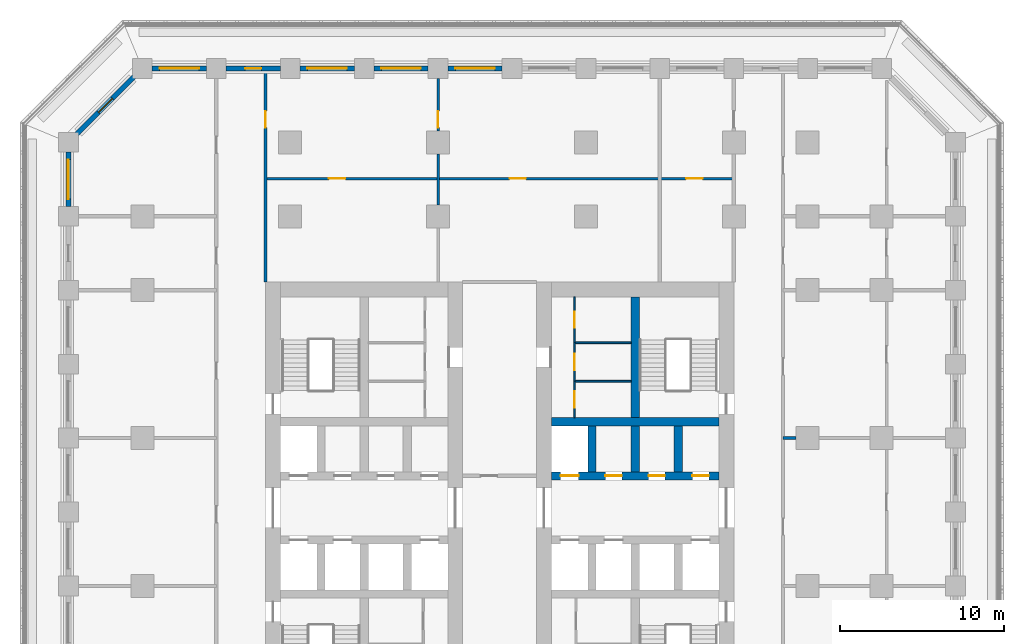
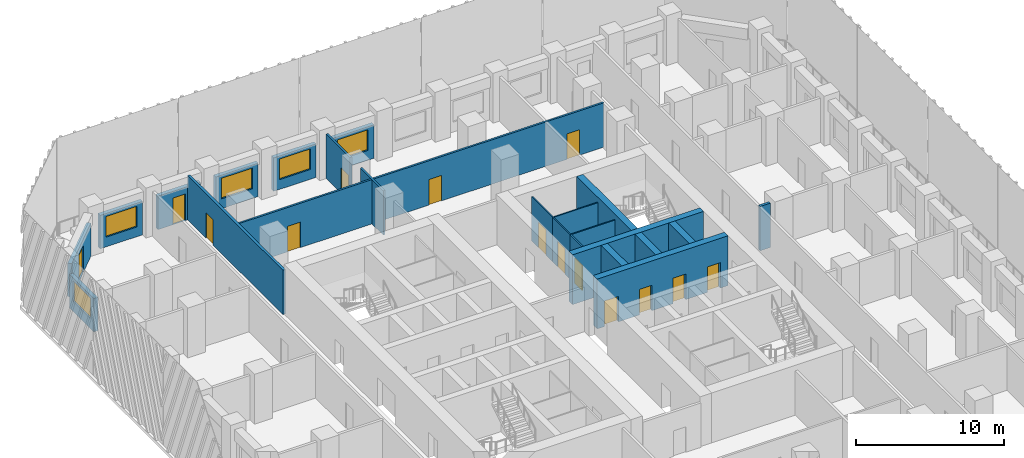
# One storey, part 7 of 19: 23 walls, 14 doors, 5 windows, 19 openings.
"""IFC4 building model written with IfcOpenShell, lengths in metres."""

import ifcopenshell
import ifcopenshell.guid

model = None  # the IFC model being written
_history = None  # IfcOwnerHistory: only IFC2X3 demands one
_inside = {}  # id of a spatial element -> (the spatial element, [elements in it])
_under = {}  # id of a project, library or spatial element -> (it, [spatial elements below it])
_declared = {}  # id of a project -> (the project, [libraries it declares])
_typed = {}  # id of a type object -> (the type object, [elements of that type])
_made_of = {}  # id of a material, layer set ... -> (it, [elements and type objects made of it])


def new_model(schema):
    """Start an empty IFC model of exactly this schema.

    Asked for "IFC4X3", IfcOpenShell would pick the latest addendum, in which some entities
    have other attributes; the version numbers below select the first issue.
    IFC2X3 requires an IfcOwnerHistory on every rooted entity: one is made here for all.
    """
    global model, _history
    if schema == "IFC4X3":
        model = ifcopenshell.file(schema_version=(4, 3, 0, 0))
    else:
        model = ifcopenshell.file(schema=schema)
    _inside.clear()
    _under.clear()
    _declared.clear()
    _typed.clear()
    _made_of.clear()
    _history = None
    if model.schema == "IFC2X3":
        org = make("IfcOrganization", Name="unknown")
        user = make(
            "IfcPersonAndOrganization",
            ThePerson=make("IfcPerson", FamilyName="unknown"),
            TheOrganization=org,
        )
        app = make(
            "IfcApplication",
            ApplicationDeveloper=org,
            Version="unknown",
            ApplicationFullName="unknown",
            ApplicationIdentifier="unknown",
        )
        _history = make(
            "IfcOwnerHistory",
            OwningUser=user,
            OwningApplication=app,
            ChangeAction="ADDED",
            CreationDate=0,
        )
    return model


def make(cls, **values):
    """One entity of the class cls with the attributes given. An attribute that is None is left unset."""
    return model.create_entity(
        cls, **{name: value for name, value in values.items() if value is not None}
    )


def rooted(cls, **values):
    """An entity with a GlobalId (a new one), such as an element, a storey or a relation."""
    return make(cls, GlobalId=ifcopenshell.guid.new(), OwnerHistory=_history, **values)


def si_unit(unit_type, name, prefix=None):
    """IfcSIUnit, for example si_unit("LENGTHUNIT", "METRE", prefix="MILLI")."""
    return make("IfcSIUnit", UnitType=unit_type, Prefix=prefix, Name=name)


def assignment(units):
    """IfcUnitAssignment: the units of a project."""
    return None if units is None else make("IfcUnitAssignment", Units=units)


def point(xyz):
    """IfcCartesianPoint."""
    return None if xyz is None else make("IfcCartesianPoint", Coordinates=xyz)


def direction(xyz):
    """IfcDirection."""
    return None if xyz is None else make("IfcDirection", DirectionRatios=xyz)


def frame(location, z_axis=None, x_axis=None):
    """IfcAxis2Placement3D, a coordinate frame: its origin and axes. An axis left out is left unset."""
    return make(
        "IfcAxis2Placement3D",
        Location=point(location),
        Axis=direction(z_axis),
        RefDirection=direction(x_axis),
    )


def frame_2d(location, x_axis=None):
    """IfcAxis2Placement2D, a coordinate frame in the plane: its origin and x axis."""
    return make(
        "IfcAxis2Placement2D", Location=point(location), RefDirection=direction(x_axis)
    )


def origin():
    """The frame at (0, 0, 0) with its axes left unset."""
    return frame((0.0, 0.0, 0.0))


def place(relative_to, where):
    """IfcLocalPlacement: puts the frame where relative to a parent placement (None: the world)."""
    return make(
        "IfcLocalPlacement", PlacementRelTo=relative_to, RelativePlacement=where
    )


def context(
    kind, dimensions, precision=None, world=None, true_north=None, identifier=None
):
    """IfcGeometricRepresentationContext, for example the 3D "Model" context."""
    return make(
        "IfcGeometricRepresentationContext",
        ContextIdentifier=identifier,
        ContextType=kind,
        CoordinateSpaceDimension=dimensions,
        Precision=precision,
        WorldCoordinateSystem=world,
        TrueNorth=true_north,
    )


def subcontext(parent, identifier, kind, view, scale=None):
    """IfcGeometricRepresentationSubContext, for example "Body" below "Model"."""
    return make(
        "IfcGeometricRepresentationSubContext",
        ContextIdentifier=identifier,
        ContextType=kind,
        ParentContext=parent,
        TargetScale=scale,
        TargetView=view,
    )


def project(units=None, contexts=None):
    """IfcProject with its units and contexts."""
    return rooted(
        "IfcProject",
        Name="project",
        RepresentationContexts=contexts,
        UnitsInContext=assignment(units),
    )


def spatial(cls, under=None, at=None, **own):
    """A site, building, storey or space (cls), placed at a placement, below another one or the project."""
    s = rooted(cls, ObjectPlacement=at, **own)
    if under is not None:
        _under.setdefault(under.id(), (under, []))[1].append(s)
    return s


def profile(cls, at=None, kind="AREA", **sizes):
    """A parametric profile (cls). Its sizes go by their IFC names, for example OverallWidth=200.0."""
    return make(cls, ProfileType=kind, Position=at, **sizes)


def rectangle(**sizes):
    """IfcRectangleProfileDef."""
    return profile("IfcRectangleProfileDef", **sizes)


def extrude(swept, where, along, depth):
    """IfcExtrudedAreaSolid: the profile swept, set in the frame where, extruded along a direction by depth."""
    return make(
        "IfcExtrudedAreaSolid",
        SweptArea=swept,
        Position=where,
        ExtrudedDirection=direction(along),
        Depth=depth,
    )


def shape(context_of_items, identifier, shape_type, items):
    """IfcShapeRepresentation: the items that make up one representation, for example the "Body"."""
    return make(
        "IfcShapeRepresentation",
        ContextOfItems=context_of_items,
        RepresentationIdentifier=identifier,
        RepresentationType=shape_type,
        Items=items,
    )


def material(Name=None, Category=None):
    """IfcMaterial."""
    return make("IfcMaterial", Name=Name, Category=Category)


def layer(
    of_material, thickness, ventilated=None, Name=None, Category=None, Priority=None
):
    """IfcMaterialLayer: one layer of a wall or slab, of a material (None: an air gap)."""
    return make(
        "IfcMaterialLayer",
        Material=of_material,
        LayerThickness=thickness,
        IsVentilated=ventilated,
        Name=Name,
        Category=Category,
        Priority=Priority,
    )


def layer_set(layers, Name=None):
    """IfcMaterialLayerSet."""
    return make("IfcMaterialLayerSet", MaterialLayers=layers, LayerSetName=Name)


def made_of(thing, what):
    """Note that an element or type object is made of a material, layer set ...; save() writes the relation."""
    if what is not None:
        _made_of.setdefault(what.id(), (what, []))[1].append(thing)
    return thing


def type_object(cls, material=None, **own):
    """A type object (cls), such as IfcWallType, which elements share."""
    return made_of(rooted(cls, **own), material)


def element(
    cls,
    number,
    at=None,
    inside=None,
    cuts=None,
    type_object=None,
    material=None,
    context=None,
    identifier="Body",
    shape_type=None,
    held_by="IfcProductDefinitionShape",
    body=None,
    shapes=None,
    **own,
):
    """One element of the class cls, such as IfcWall. Its Tag is "e" and its number.

    at: its placement. inside: the storey or other place that contains it. cuts: it is an
    opening in that element (IfcRelVoidsElement). A single representation is given by context,
    identifier, shape_type and body (its items); several are given by shapes. held_by: the class
    of the entity that holds the representations. save() writes the other relations.
    """
    e = rooted(cls, Tag="e%d" % number, ObjectPlacement=at, **own)
    if body is not None:
        shapes = [shape(context, identifier, shape_type, body)]
    if shapes is not None:
        e.Representation = make(held_by, Representations=shapes)
    if inside is not None:
        _inside.setdefault(inside.id(), (inside, []))[1].append(e)
    if cuts is not None:
        rooted(
            "IfcRelVoidsElement", RelatingBuildingElement=cuts, RelatedOpeningElement=e
        )
    if type_object is not None:
        _typed.setdefault(type_object.id(), (type_object, []))[1].append(e)
    return made_of(e, material)


def fill(opening, filler):
    """IfcRelFillsElement: the door or window that sits in an opening."""
    return rooted(
        "IfcRelFillsElement",
        RelatingOpeningElement=opening,
        RelatedBuildingElement=filler,
    )


def aggregate(whole, parts):
    """IfcRelAggregates: a whole, such as a stair, and the parts it consists of."""
    return rooted("IfcRelAggregates", RelatingObject=whole, RelatedObjects=parts)


def save(model, path):
    """Write the relations noted so far, then the file.

    IfcRelAggregates (storeys below a building ...), IfcRelContainedInSpatialStructure (elements
    in a storey), IfcRelDefinesByType, IfcRelAssociatesMaterial and IfcRelDeclares: one each for
    every whole, place, type object, material and project.
    """
    for whole, parts in _under.values():
        aggregate(whole, parts)
    for where, things in _inside.values():
        rooted(
            "IfcRelContainedInSpatialStructure",
            RelatedElements=things,
            RelatingStructure=where,
        )
    for kind, things in _typed.values():
        rooted("IfcRelDefinesByType", RelatedObjects=things, RelatingType=kind)
    for what, things in _made_of.values():
        rooted("IfcRelAssociatesMaterial", RelatedObjects=things, RelatingMaterial=what)
    for by, libraries in _declared.values():
        rooted("IfcRelDeclares", RelatingContext=by, RelatedDefinitions=libraries)
    model.write(path)


model = new_model("IFC4")

# Units and contexts
model_context = context("Model", 3, precision=1e-05, world=origin(), true_north=direction((0.0, 1.0)))
body_context = subcontext(model_context, "Body", "Model", "MODEL_VIEW")
ifc_project = project(units=[si_unit("LENGTHUNIT", "METRE"), si_unit("AREAUNIT", "SQUARE_METRE"), si_unit("VOLUMEUNIT", "CUBIC_METRE"), si_unit("PLANEANGLEUNIT", "RADIAN"), si_unit("MASSUNIT", "GRAM", prefix="KILO")], contexts=[model_context])

# Site, building, storey
site_placement = place(None, origin())
site = spatial("IfcSite", under=ifc_project, at=site_placement, CompositionType="ELEMENT")
building_placement = place(site_placement, origin())
building = spatial("IfcBuilding", under=site, at=building_placement, Name="Corbel Stack Research Tower", CompositionType="ELEMENT")
storey_placement = place(building_placement, frame((0.0, 0.0, 90.199951171875)))
storey = spatial("IfcBuildingStorey", under=building, at=storey_placement, Name="L20", CompositionType="ELEMENT", Elevation=90.199951171875)

# Wall, openings, doors
ifc_material_1 = material(Name="Concrete C70/85", Category="concrete")
ifc_layer_1 = layer(ifc_material_1, 0.5)
ifc_layer_set_1 = layer_set([ifc_layer_1], Name="Concrete C70/85")
wall_type_1 = type_object("IfcWallType", Name="CW-500-70", PredefinedType="SHEAR", material=ifc_layer_set_1)
wall_1_placement = place(storey_placement, frame((6.89990234375, 6.699951171875, 0.0), z_axis=(0.0, 0.0, 1.0), x_axis=(1.0, 0.0, 0.0)))
wall_1 = element("IfcWall", 1, at=wall_1_placement, inside=storey, type_object=wall_type_1, Name="East core wall, lobby north L20", PredefinedType="SHEAR", context=body_context, shape_type="SweptSolid", body=[
    extrude(rectangle(XDim=10.2001953125, YDim=0.5, at=frame_2d((5.10009765625, 0.0))), origin(), (0.0, 0.0, 1.0), 4.10009765625),
])
opening_1_placement = place(wall_1_placement, frame((0.5625, 0.0, 0.0)))
opening_1 = element("IfcOpeningElement", 2, at=opening_1_placement, cuts=wall_1, Name="Opening LD-LR4", PredefinedType="OPENING", context=body_context, shape_type="SweptSolid", body=[
    extrude(rectangle(XDim=1.10009765625, YDim=2.10009765625, at=frame_2d((0.550048828125, 1.050048828125))), frame((0.0, 0.260009765625, 0.0), z_axis=(0.0, -1.0, 0.0), x_axis=(1.0, 0.0, 0.0)), (0.0, 0.0, 1.0), 0.52001953125),
])
opening_2_placement = place(wall_1_placement, frame((3.28759765625, 0.0, 0.0)))
opening_2 = element("IfcOpeningElement", 3, at=opening_2_placement, cuts=wall_1, Name="Opening CR-E12-N2", PredefinedType="OPENING", context=body_context, shape_type="SweptSolid", body=[
    extrude(rectangle(XDim=1.0, YDim=2.10009765625, at=frame_2d((0.5, 1.050048828125))), frame((0.0, 0.260009765625, 0.0), z_axis=(0.0, -1.0, 0.0), x_axis=(1.0, 0.0, 0.0)), (0.0, 0.0, 1.0), 0.52001953125),
])
opening_3_placement = place(wall_1_placement, frame((5.91259765625, 0.0, 0.0)))
opening_3 = element("IfcOpeningElement", 4, at=opening_3_placement, cuts=wall_1, Name="Opening CR-E12-N3", PredefinedType="OPENING", context=body_context, shape_type="SweptSolid", body=[
    extrude(rectangle(XDim=1.0, YDim=2.10009765625, at=frame_2d((0.5, 1.050048828125))), frame((0.0, 0.260009765625, 0.0), z_axis=(0.0, -1.0, 0.0), x_axis=(1.0, 0.0, 0.0)), (0.0, 0.0, 1.0), 0.52001953125),
])
opening_4_placement = place(wall_1_placement, frame((8.58740234375, 0.0, 0.0)))
opening_4 = element("IfcOpeningElement", 5, at=opening_4_placement, cuts=wall_1, Name="Opening CR-E12-N4", PredefinedType="OPENING", context=body_context, shape_type="SweptSolid", body=[
    extrude(rectangle(XDim=1.0, YDim=2.10009765625, at=frame_2d((0.5, 1.050048828125))), frame((0.0, 0.260009765625, 0.0), z_axis=(0.0, -1.0, 0.0), x_axis=(1.0, 0.0, 0.0)), (0.0, 0.0, 1.0), 0.52001953125),
])
ifc_material_2 = material(Name="Stainless steel landing door", Category="steel")
door_type_1 = type_object("IfcDoorType", Name="Lift landing door 1100 x 2100", OperationType="DOUBLE_DOOR_SLIDING", PredefinedType="DOOR", material=ifc_material_2)
door_1_placement = place(opening_1_placement, origin())
door_1 = element("IfcDoor", 6, at=door_1_placement, inside=storey, type_object=door_type_1, Name="Landing door LR4", OperationType="DOUBLE_DOOR_SLIDING", OverallHeight=2.10009765625, OverallWidth=1.10009765625, PredefinedType="DOOR", context=body_context, shape_type="SweptSolid", body=[
    extrude(rectangle(XDim=1.10009765625, YDim=2.10009765625, at=frame_2d((0.550048828125, 1.050048828125))), frame((0.0, 0.02490234375, 0.0), z_axis=(0.0, -1.0, 0.0), x_axis=(1.0, 0.0, 0.0)), (0.0, 0.0, 1.0), 0.050048828125),
])
fill(opening_1, door_1)
ifc_material_3 = material(Name="Painted steel door", Category="steel")
door_type_2 = type_object("IfcDoorType", Name="Service door 1000 x 2100 FD60 left hand", OperationType="SINGLE_SWING_LEFT", PredefinedType="DOOR", material=ifc_material_3)
door_2_placement = place(opening_3_placement, origin())
door_2 = element("IfcDoor", 7, at=door_2_placement, inside=storey, type_object=door_type_2, Name="Laboratory consumables store door E core", OperationType="SINGLE_SWING_LEFT", OverallHeight=2.10009765625, OverallWidth=1.0, PredefinedType="DOOR", context=body_context, shape_type="SweptSolid", body=[
    extrude(rectangle(XDim=1.0, YDim=2.10009765625, at=frame_2d((0.5, 1.050048828125))), frame((0.0, 0.02490234375, 0.0), z_axis=(0.0, -1.0, 0.0), x_axis=(1.0, 0.0, 0.0)), (0.0, 0.0, 1.0), 0.050048828125),
])
fill(opening_3, door_2)
ifc_material_4 = material(Name="Painted steel door", Category="steel")
door_type_3 = type_object("IfcDoorType", Name="Service door 1000 x 2100 FD60 right hand", OperationType="SINGLE_SWING_RIGHT", PredefinedType="DOOR", material=ifc_material_4)
door_3_placement = place(opening_2_placement, origin())
door_3 = element("IfcDoor", 8, at=door_3_placement, inside=storey, type_object=door_type_3, Name="Staff WC door E core", OperationType="SINGLE_SWING_RIGHT", OverallHeight=2.10009765625, OverallWidth=1.0, PredefinedType="DOOR", context=body_context, shape_type="SweptSolid", body=[
    extrude(rectangle(XDim=1.0, YDim=2.10009765625, at=frame_2d((0.5, 1.050048828125))), frame((0.0, 0.02490234375, 0.0), z_axis=(0.0, -1.0, 0.0), x_axis=(1.0, 0.0, 0.0)), (0.0, 0.0, 1.0), 0.050048828125),
])
fill(opening_2, door_3)
door_4_placement = place(opening_4_placement, origin())
door_4 = element("IfcDoor", 9, at=door_4_placement, inside=storey, type_object=door_type_3, Name="Cleaner's store door E core", OperationType="SINGLE_SWING_RIGHT", OverallHeight=2.10009765625, OverallWidth=1.0, PredefinedType="DOOR", context=body_context, shape_type="SweptSolid", body=[
    extrude(rectangle(XDim=1.0, YDim=2.10009765625, at=frame_2d((0.5, 1.050048828125))), frame((0.0, 0.02490234375, 0.0), z_axis=(0.0, -1.0, 0.0), x_axis=(1.0, 0.0, 0.0)), (0.0, 0.0, 1.0), 0.050048828125),
])
fill(opening_4, door_4)

# Walls
wall_2_placement = place(storey_placement, frame((6.89990234375, 10.0, 0.0), z_axis=(0.0, 0.0, 1.0), x_axis=(1.0, 0.0, 0.0)))
element("IfcWall", 10, at=wall_2_placement, inside=storey, type_object=wall_type_1, Name="East core wall, north row back L20", PredefinedType="SHEAR", context=body_context, shape_type="SweptSolid", body=[
    extrude(rectangle(XDim=10.2001953125, YDim=0.5, at=frame_2d((5.10009765625, 0.0))), origin(), (0.0, 0.0, 1.0), 4.10009765625),
])
for number, where, z_axis, x_axis, name in (
    (11, (9.375, 6.949951171875, 0.0), (0.0, 0.0, 1.0), (0.0, 1.0, 0.0), "East core wall, north shaft 1 L20"),
    (12, (12.0, 6.949951171875, 0.0), (0.0, 0.0, 1.0), (0.0, 1.0, 0.0), "East core wall, north shaft 2 L20"),
    (13, (14.625, 6.949951171875, 0.0), (0.0, 0.0, 1.0), (0.0, 1.0, 0.0), "East core wall, north shaft 3 L20"),
):
    element("IfcWall", number, at=place(storey_placement, frame(where, z_axis=z_axis, x_axis=x_axis)), inside=storey, type_object=wall_type_1, Name=name, PredefinedType="SHEAR", context=body_context, shape_type="SweptSolid", body=[
        extrude(rectangle(XDim=2.800048828125, YDim=0.5, at=frame_2d((1.39990234375, 0.0))), origin(), (0.0, 0.0, 1.0), 4.10009765625),
    ])
wall_3_placement = place(storey_placement, frame((12.0, 10.25, 0.0), z_axis=(0.0, 0.0, 1.0), x_axis=(0.0, 1.0, 0.0)))
element("IfcWall", 14, at=wall_3_placement, inside=storey, type_object=wall_type_1, Name="East core wall, north stair and riser L20", PredefinedType="SHEAR", context=body_context, shape_type="SweptSolid", body=[
    extrude(rectangle(XDim=7.35009765625, YDim=0.5, at=frame_2d((3.675048828125, 0.0))), origin(), (0.0, 0.0, 1.0), 4.10009765625),
])

# Wall, opening, door
ifc_material_5 = material(Name="Gypsum board")
ifc_layer_2 = layer(ifc_material_5, 0.10009765625)
ifc_layer_set_2 = layer_set([ifc_layer_2], Name="Gypsum board")
wall_type_2 = type_object("IfcWallType", Name="Core partition 100", PredefinedType="PARTITIONING", material=ifc_layer_set_2)
wall_4_placement = place(storey_placement, frame((8.300048828125, 10.25, 0.0), z_axis=(0.0, 0.0, 1.0), x_axis=(0.0, 1.0, 0.0)))
wall_4 = element("IfcWall", 15, at=wall_4_placement, inside=storey, type_object=wall_type_2, Name="Core partition E", PredefinedType="PARTITIONING", context=body_context, shape_type="SweptSolid", body=[
    extrude(rectangle(XDim=2.205078125, YDim=0.10009765625, at=frame_2d((1.1025390625, 0.0))), origin(), (0.0, 0.0, 1.0), 3.650146484375),
])
opening_5_placement = place(wall_4_placement, frame((0.6025390625, 0.0, 0.0)))
opening_5 = element("IfcOpeningElement", 16, at=opening_5_placement, cuts=wall_4, Name="Opening CR-E12-R2-1000", PredefinedType="OPENING", context=body_context, shape_type="SweptSolid", body=[
    extrude(rectangle(XDim=1.0, YDim=2.10009765625, at=frame_2d((0.5, 1.050048828125))), frame((0.0, 0.06005859375, 0.0), z_axis=(0.0, -1.0, 0.0), x_axis=(1.0, 0.0, 0.0)), (0.0, 0.0, 1.0), 0.1201171875),
])
ifc_material_6 = material(Name="Painted steel door", Category="steel")
door_type_4 = type_object("IfcDoorType", Name="Riser door 1000 x 2100 FD60 left hand", OperationType="SINGLE_SWING_LEFT", PredefinedType="DOOR", material=ifc_material_6)
door_5_placement = place(opening_5_placement, origin())
door_5 = element("IfcDoor", 17, at=door_5_placement, inside=storey, type_object=door_type_4, Name="Mechanical riser door E core", OperationType="SINGLE_SWING_LEFT", OverallHeight=2.10009765625, OverallWidth=1.0, PredefinedType="DOOR", context=body_context, shape_type="SweptSolid", body=[
    extrude(rectangle(XDim=1.0, YDim=2.10009765625, at=frame_2d((0.5, 1.050048828125))), frame((0.0, 0.02490234375, 0.0), z_axis=(0.0, -1.0, 0.0), x_axis=(1.0, 0.0, 0.0)), (0.0, 0.0, 1.0), 0.050048828125),
])
fill(opening_5, door_5)

wall_5_placement = place(storey_placement, frame((8.300048828125, 12.455078125, 0.0), z_axis=(0.0, 0.0, 1.0), x_axis=(0.0, 1.0, 0.0)))
wall_5 = element("IfcWall", 18, at=wall_5_placement, inside=storey, type_object=wall_type_2, Name="Core partition E", PredefinedType="PARTITIONING", context=body_context, shape_type="SweptSolid", body=[
    extrude(rectangle(XDim=2.351806640625, YDim=0.10009765625, at=frame_2d((1.17578125, 0.0))), origin(), (0.0, 0.0, 1.0), 3.650146484375),
])
opening_6_placement = place(wall_5_placement, frame((0.676025390625, 0.0, 0.0)))
opening_6 = element("IfcOpeningElement", 19, at=opening_6_placement, cuts=wall_5, Name="Opening CR-E12-R3-1000", PredefinedType="OPENING", context=body_context, shape_type="SweptSolid", body=[
    extrude(rectangle(XDim=1.0, YDim=2.10009765625, at=frame_2d((0.5, 1.050048828125))), frame((0.0, 0.06005859375, 0.0), z_axis=(0.0, -1.0, 0.0), x_axis=(1.0, 0.0, 0.0)), (0.0, 0.0, 1.0), 0.1201171875),
])
ifc_material_7 = material(Name="Painted steel door", Category="steel")
door_type_5 = type_object("IfcDoorType", Name="Service door 1000 x 2100 FD30 right hand", OperationType="SINGLE_SWING_RIGHT", PredefinedType="DOOR", material=ifc_material_7)
door_6_placement = place(opening_6_placement, origin())
door_6 = element("IfcDoor", 20, at=door_6_placement, inside=storey, type_object=door_type_5, Name="Pantry door E core", OperationType="SINGLE_SWING_RIGHT", OverallHeight=2.10009765625, OverallWidth=1.0, PredefinedType="DOOR", context=body_context, shape_type="SweptSolid", body=[
    extrude(rectangle(XDim=1.0, YDim=2.10009765625, at=frame_2d((0.5, 1.050048828125))), frame((0.0, 0.02490234375, 0.0), z_axis=(0.0, -1.0, 0.0), x_axis=(1.0, 0.0, 0.0)), (0.0, 0.0, 1.0), 0.050048828125),
])
fill(opening_6, door_6)

wall_6_placement = place(storey_placement, frame((8.300048828125, 14.806884765625, 0.0), z_axis=(0.0, 0.0, 1.0), x_axis=(0.0, 1.0, 0.0)))
wall_6 = element("IfcWall", 21, at=wall_6_placement, inside=storey, type_object=wall_type_2, Name="Core partition E", PredefinedType="PARTITIONING", context=body_context, shape_type="SweptSolid", body=[
    extrude(rectangle(XDim=2.793212890625, YDim=0.10009765625, at=frame_2d((1.396484375, 0.0))), origin(), (0.0, 0.0, 1.0), 3.650146484375),
])
opening_7_placement = place(wall_6_placement, frame((0.896484375, 0.0, 0.0)))
opening_7 = element("IfcOpeningElement", 22, at=opening_7_placement, cuts=wall_6, Name="Opening CR-E12-R4-1000", PredefinedType="OPENING", context=body_context, shape_type="SweptSolid", body=[
    extrude(rectangle(XDim=1.0, YDim=2.10009765625, at=frame_2d((0.5, 1.050048828125))), frame((0.0, 0.06005859375, 0.0), z_axis=(0.0, -1.0, 0.0), x_axis=(1.0, 0.0, 0.0)), (0.0, 0.0, 1.0), 0.1201171875),
])
door_7_placement = place(opening_7_placement, origin())
door_7 = element("IfcDoor", 23, at=door_7_placement, inside=storey, type_object=door_type_4, Name="Electrical riser door E core", OperationType="SINGLE_SWING_LEFT", OverallHeight=2.10009765625, OverallWidth=1.0, PredefinedType="DOOR", context=body_context, shape_type="SweptSolid", body=[
    extrude(rectangle(XDim=1.0, YDim=2.10009765625, at=frame_2d((0.5, 1.050048828125))), frame((0.0, 0.02490234375, 0.0), z_axis=(0.0, -1.0, 0.0), x_axis=(1.0, 0.0, 0.0)), (0.0, 0.0, 1.0), 0.050048828125),
])
fill(opening_7, door_7)

# Walls
for number, where, z_axis, x_axis, name in (
    (24, (8.300048828125, 12.455078125, 0.0), (0.0, 0.0, 1.0), (1.0, 0.0, 0.0), "Core partition E"),
    (25, (8.300048828125, 14.806884765625, 0.0), (0.0, 0.0, 1.0), (1.0, 0.0, 0.0), "Core partition E"),
):
    element("IfcWall", number, at=place(storey_placement, frame(where, z_axis=z_axis, x_axis=x_axis)), inside=storey, type_object=wall_type_2, Name=name, PredefinedType="PARTITIONING", context=body_context, shape_type="SweptSolid", body=[
        extrude(rectangle(XDim=3.449951171875, YDim=0.10009765625, at=frame_2d((1.72509765625, 0.0))), origin(), (0.0, 0.0, 1.0), 3.650146484375),
    ])

# Wall, opening, door
ifc_material_8 = material(Name="Fire-rated gypsum board partition on steel studs", Category="steel")
ifc_layer_3 = layer(ifc_material_8, 0.14990234375)
ifc_layer_set_3 = layer_set([ifc_layer_3], Name="Fire-rated gypsum board partition on steel studs")
wall_type_3 = type_object("IfcWallType", Name="Fire-rated partition 150 EI 60", PredefinedType="PARTITIONING", material=ifc_layer_set_3)
wall_7_placement = place(storey_placement, frame((0.0, 30.89990234375, 0.0), z_axis=(0.0, 0.0, 1.0), x_axis=(0.0, -1.0, 0.0)))
wall_7 = element("IfcWall", 26, at=wall_7_placement, inside=storey, type_object=wall_type_3, Name="Partition L20-006", PredefinedType="PARTITIONING", context=body_context, shape_type="SweptSolid", body=[
    extrude(rectangle(XDim=3.199951171875, YDim=0.14990234375, at=frame_2d((1.60009765625, 0.0))), origin(), (0.0, 0.0, 1.0), 3.650146484375),
])
opening_8_placement = place(wall_7_placement, frame((2.0, 0.0, 0.0)))
opening_8 = element("IfcOpeningElement", 27, at=opening_8_placement, cuts=wall_7, Name="Opening B3V1-013", PredefinedType="OPENING", context=body_context, shape_type="SweptSolid", body=[
    extrude(rectangle(XDim=1.0, YDim=2.10009765625, at=frame_2d((0.5, 1.050048828125))), frame((0.0, 0.0849609375, 0.0), z_axis=(0.0, -1.0, 0.0), x_axis=(1.0, 0.0, 0.0)), (0.0, 0.0, 1.0), 0.169921875),
])
ifc_material_9 = material(Name="Painted steel fire door", Category="steel")
door_type_6 = type_object("IfcDoorType", Name="Fire door FD30S 1000 x 2100", OperationType="NOTDEFINED", PredefinedType="DOOR", material=ifc_material_9)
door_8_placement = place(opening_8_placement, origin())
door_8 = element("IfcDoor", 28, at=door_8_placement, inside=storey, type_object=door_type_6, Name="Door B3V1-013", OperationType="SINGLE_SWING_RIGHT", OverallHeight=2.10009765625, OverallWidth=1.0, PredefinedType="DOOR", context=body_context, shape_type="SweptSolid", body=[
    extrude(rectangle(XDim=1.0, YDim=2.10009765625, at=frame_2d((0.5, 1.050048828125))), frame((0.0, 0.02490234375, 0.0), z_axis=(0.0, -1.0, 0.0), x_axis=(1.0, 0.0, 0.0)), (0.0, 0.0, 1.0), 0.050048828125),
])
fill(opening_8, door_8)

ifc_material_10 = material(Name="Fire-rated gypsum board partition on steel studs", Category="steel")
ifc_layer_4 = layer(ifc_material_10, 0.199951171875)
ifc_layer_set_4 = layer_set([ifc_layer_4], Name="Fire-rated gypsum board partition on steel studs")
wall_type_4 = type_object("IfcWallType", Name="Fire-rated partition 200 EI 60", PredefinedType="PARTITIONING", material=ifc_layer_set_4)
wall_8_placement = place(storey_placement, frame((-10.5, 31.35009765625, 0.0), z_axis=(0.0, 0.0, 1.0), x_axis=(0.0, -1.0, 0.0)))
wall_8 = element("IfcWall", 29, at=wall_8_placement, inside=storey, type_object=wall_type_4, Name="Partition L20-003", PredefinedType="PARTITIONING", context=body_context, shape_type="SweptSolid", body=[
    extrude(rectangle(XDim=12.85009765625, YDim=0.199951171875, at=frame_2d((6.425048828125, 0.0))), origin(), (0.0, 0.0, 1.0), 3.650146484375),
])
opening_9_placement = place(wall_8_placement, frame((2.449951171875, 0.0, 0.0)))
opening_9 = element("IfcOpeningElement", 30, at=opening_9_placement, cuts=wall_8, Name="Opening B3V1-011", PredefinedType="OPENING", context=body_context, shape_type="SweptSolid", body=[
    extrude(rectangle(XDim=1.0, YDim=2.10009765625, at=frame_2d((0.5, 1.050048828125))), frame((0.0, 0.10986328125, 0.0), z_axis=(0.0, -1.0, 0.0), x_axis=(1.0, 0.0, 0.0)), (0.0, 0.0, 1.0), 0.219970703125),
])
door_9_placement = place(opening_9_placement, origin())
door_9 = element("IfcDoor", 31, at=door_9_placement, inside=storey, type_object=door_type_6, Name="Door B3V1-011", OperationType="SINGLE_SWING_LEFT", OverallHeight=2.10009765625, OverallWidth=1.0, PredefinedType="DOOR", context=body_context, shape_type="SweptSolid", body=[
    extrude(rectangle(XDim=1.0, YDim=2.10009765625, at=frame_2d((0.5, 1.050048828125))), frame((0.0, 0.02490234375, 0.0), z_axis=(0.0, -1.0, 0.0), x_axis=(1.0, 0.0, 0.0)), (0.0, 0.0, 1.0), 0.050048828125),
])
fill(opening_9, door_9)

# Walls
wall_9_placement = place(storey_placement, frame((21.0, 9.0, 0.0), z_axis=(0.0, 0.0, 1.0), x_axis=(1.0, 0.0, 0.0)))
element("IfcWall", 32, at=wall_9_placement, inside=storey, type_object=wall_type_4, Name="Partition L20-035", PredefinedType="PARTITIONING", context=body_context, shape_type="SweptSolid", body=[
    extrude(rectangle(XDim=0.800048828125, YDim=0.199951171875, at=frame_2d((0.39990234375, 0.0))), origin(), (0.0, 0.0, 1.0), 3.650146484375),
])
ifc_material_11 = material(Name="Gypsum board partition on steel studs", Category="steel")
ifc_layer_5 = layer(ifc_material_11, 0.14990234375)
ifc_layer_set_5 = layer_set([ifc_layer_5], Name="Gypsum board partition on steel studs")
wall_type_5 = type_object("IfcWallType", Name="Partition 150", PredefinedType="PARTITIONING", material=ifc_layer_set_5)
wall_10_placement = place(storey_placement, frame((0.0, 23.199951171875, 0.0), z_axis=(0.0, 0.0, 1.0), x_axis=(0.0, 1.0, 0.0)))
element("IfcWall", 33, at=wall_10_placement, inside=storey, type_object=wall_type_5, Name="Partition L20-005", PredefinedType="PARTITIONING", context=body_context, shape_type="SweptSolid", body=[
    extrude(rectangle(XDim=3.10009765625, YDim=0.14990234375, at=frame_2d((1.550048828125, 0.0))), origin(), (0.0, 0.0, 1.0), 3.650146484375),
])

# Wall, openings, doors
wall_11_placement = place(storey_placement, frame((18.0, 24.800048828125, 0.0), z_axis=(0.0, 0.0, 1.0), x_axis=(-1.0, 0.0, 0.0)))
wall_11 = element("IfcWall", 34, at=wall_11_placement, inside=storey, type_object=wall_type_5, Name="Partition L20-049", PredefinedType="PARTITIONING", context=body_context, shape_type="SweptSolid", body=[
    extrude(rectangle(XDim=28.5, YDim=0.14990234375, at=frame_2d((14.25, 0.0))), origin(), (0.0, 0.0, 1.0), 3.650146484375),
])
opening_10_placement = place(wall_11_placement, frame((23.64990234375, 0.0, 0.0)))
opening_10 = element("IfcOpeningElement", 35, at=opening_10_placement, cuts=wall_11, Name="Opening B3V1-023", PredefinedType="OPENING", context=body_context, shape_type="SweptSolid", body=[
    extrude(rectangle(XDim=1.0, YDim=2.10009765625, at=frame_2d((0.5, 1.050048828125))), frame((0.0, 0.0849609375, 0.0), z_axis=(0.0, -1.0, 0.0), x_axis=(1.0, 0.0, 0.0)), (0.0, 0.0, 1.0), 0.169921875),
])
opening_11_placement = place(wall_11_placement, frame((12.64990234375, 0.0, 0.0)))
opening_11 = element("IfcOpeningElement", 36, at=opening_11_placement, cuts=wall_11, Name="Opening B3V1-024", PredefinedType="OPENING", context=body_context, shape_type="SweptSolid", body=[
    extrude(rectangle(XDim=1.0, YDim=2.10009765625, at=frame_2d((0.5, 1.050048828125))), frame((0.0, 0.0849609375, 0.0), z_axis=(0.0, -1.0, 0.0), x_axis=(1.0, 0.0, 0.0)), (0.0, 0.0, 1.0), 0.169921875),
])
opening_12_placement = place(wall_11_placement, frame((1.89990234375, 0.0, 0.0)))
opening_12 = element("IfcOpeningElement", 37, at=opening_12_placement, cuts=wall_11, Name="Opening B3V1-025", PredefinedType="OPENING", context=body_context, shape_type="SweptSolid", body=[
    extrude(rectangle(XDim=1.0, YDim=2.10009765625, at=frame_2d((0.5, 1.050048828125))), frame((0.0, 0.0849609375, 0.0), z_axis=(0.0, -1.0, 0.0), x_axis=(1.0, 0.0, 0.0)), (0.0, 0.0, 1.0), 0.169921875),
])
ifc_material_12 = material(Name="Painted timber door", Category="wood")
door_type_7 = type_object("IfcDoorType", Name="Single door 1000 x 2100", OperationType="NOTDEFINED", PredefinedType="DOOR", material=ifc_material_12)
door_10_placement = place(opening_10_placement, origin())
door_10 = element("IfcDoor", 38, at=door_10_placement, inside=storey, type_object=door_type_7, Name="Door B3V1-023", OperationType="SINGLE_SWING_RIGHT", OverallHeight=2.10009765625, OverallWidth=1.0, PredefinedType="DOOR", context=body_context, shape_type="SweptSolid", body=[
    extrude(rectangle(XDim=1.0, YDim=2.10009765625, at=frame_2d((0.5, 1.050048828125))), frame((0.0, 0.02490234375, 0.0), z_axis=(0.0, -1.0, 0.0), x_axis=(1.0, 0.0, 0.0)), (0.0, 0.0, 1.0), 0.050048828125),
])
fill(opening_10, door_10)
door_11_placement = place(opening_11_placement, origin())
door_11 = element("IfcDoor", 39, at=door_11_placement, inside=storey, type_object=door_type_7, Name="Door B3V1-024", OperationType="SINGLE_SWING_LEFT", OverallHeight=2.10009765625, OverallWidth=1.0, PredefinedType="DOOR", context=body_context, shape_type="SweptSolid", body=[
    extrude(rectangle(XDim=1.0, YDim=2.10009765625, at=frame_2d((0.5, 1.050048828125))), frame((0.0, 0.02490234375, 0.0), z_axis=(0.0, -1.0, 0.0), x_axis=(1.0, 0.0, 0.0)), (0.0, 0.0, 1.0), 0.050048828125),
])
fill(opening_11, door_11)
door_12_placement = place(opening_12_placement, origin())
door_12 = element("IfcDoor", 40, at=door_12_placement, inside=storey, type_object=door_type_7, Name="Door B3V1-025", OperationType="SINGLE_SWING_LEFT", OverallHeight=2.10009765625, OverallWidth=1.0, PredefinedType="DOOR", context=body_context, shape_type="SweptSolid", body=[
    extrude(rectangle(XDim=1.0, YDim=2.10009765625, at=frame_2d((0.5, 1.050048828125))), frame((0.0, 0.02490234375, 0.0), z_axis=(0.0, -1.0, 0.0), x_axis=(1.0, 0.0, 0.0)), (0.0, 0.0, 1.0), 0.050048828125),
])
fill(opening_12, door_12)

# Wall, opening, window
ifc_material_13 = material(Name="Concrete C45/55", Category="concrete")
ifc_layer_6 = layer(ifc_material_13, 0.300048828125)
ifc_layer_set_6 = layer_set([ifc_layer_6], Name="Concrete C45/55")
wall_type_6 = type_object("IfcWallType", Name="Terracotta-faced concrete wall 300", PredefinedType="SOLIDWALL", material=ifc_layer_set_6)
wall_12_placement = place(storey_placement, frame((0.60009765625, 31.5, 0.0), z_axis=(0.0, 0.0, 1.0), x_axis=(1.0, 0.0, 0.0)))
wall_12 = element("IfcWall", 41, at=wall_12_placement, inside=storey, type_object=wall_type_6, Name="Facade wall L20 N06", PredefinedType="SOLIDWALL", context=body_context, shape_type="SweptSolid", body=[
    extrude(rectangle(XDim=3.2998046875, YDim=0.300048828125, at=frame_2d((1.64990234375, 0.0))), origin(), (0.0, 0.0, 1.0), 2.75),
])
opening_13_placement = place(wall_12_placement, frame((0.449951171875, 0.0, 0.800048828125)))
opening_13 = element("IfcOpeningElement", 42, at=opening_13_placement, cuts=wall_12, Name="Opening W1", PredefinedType="OPENING", context=body_context, shape_type="SweptSolid", body=[
    extrude(rectangle(XDim=2.39990234375, YDim=1.699951171875, at=frame_2d((1.199951171875, 0.85009765625))), frame((0.0, 0.159912109375, 0.0), z_axis=(0.0, -1.0, 0.0), x_axis=(1.0, 0.0, 0.0)), (0.0, 0.0, 1.0), 0.320068359375),
])
ifc_material_14 = material(Name="Aluminium frame, clear double glazing", Category="aluminium")
window_type = type_object("IfcWindowType", Name="Window W1 2400 x 1700", PartitioningType="SINGLE_PANEL", PredefinedType="WINDOW", material=ifc_material_14)
window_1_placement = place(opening_13_placement, origin())
window_1 = element("IfcWindow", 43, at=window_1_placement, inside=storey, type_object=window_type, Name="Window W1 L20 N06", OverallHeight=1.699951171875, OverallWidth=2.39990234375, PartitioningType="SINGLE_PANEL", PredefinedType="WINDOW", context=body_context, shape_type="SweptSolid", body=[
    extrude(rectangle(XDim=2.39990234375, YDim=1.699951171875, at=frame_2d((1.199951171875, 0.85009765625))), frame((0.0, 0.030029296875, 0.0), z_axis=(0.0, -1.0, 0.0), x_axis=(1.0, 0.0, 0.0)), (0.0, 0.0, 1.0), 0.06005859375),
])
fill(opening_13, window_1)

wall_13_placement = place(storey_placement, frame((-3.89990234375, 31.5, 0.0), z_axis=(0.0, 0.0, 1.0), x_axis=(1.0, 0.0, 0.0)))
wall_13 = element("IfcWall", 44, at=wall_13_placement, inside=storey, type_object=wall_type_6, Name="Facade wall L20 N07", PredefinedType="SOLIDWALL", context=body_context, shape_type="SweptSolid", body=[
    extrude(rectangle(XDim=3.2998046875, YDim=0.300048828125, at=frame_2d((1.64990234375, 0.0))), origin(), (0.0, 0.0, 1.0), 2.75),
])
opening_14_placement = place(wall_13_placement, frame((0.449951171875, 0.0, 0.800048828125)))
opening_14 = element("IfcOpeningElement", 45, at=opening_14_placement, cuts=wall_13, Name="Opening W1", PredefinedType="OPENING", context=body_context, shape_type="SweptSolid", body=[
    extrude(rectangle(XDim=2.39990234375, YDim=1.699951171875, at=frame_2d((1.199951171875, 0.85009765625))), frame((0.0, 0.159912109375, 0.0), z_axis=(0.0, -1.0, 0.0), x_axis=(1.0, 0.0, 0.0)), (0.0, 0.0, 1.0), 0.320068359375),
])
window_2_placement = place(opening_14_placement, origin())
window_2 = element("IfcWindow", 46, at=window_2_placement, inside=storey, type_object=window_type, Name="Window W1 L20 N07", OverallHeight=1.699951171875, OverallWidth=2.39990234375, PartitioningType="SINGLE_PANEL", PredefinedType="WINDOW", context=body_context, shape_type="SweptSolid", body=[
    extrude(rectangle(XDim=2.39990234375, YDim=1.699951171875, at=frame_2d((1.199951171875, 0.85009765625))), frame((0.0, 0.030029296875, 0.0), z_axis=(0.0, -1.0, 0.0), x_axis=(1.0, 0.0, 0.0)), (0.0, 0.0, 1.0), 0.06005859375),
])
fill(opening_14, window_2)

wall_14_placement = place(storey_placement, frame((-8.39990234375, 31.5, 0.0), z_axis=(0.0, 0.0, 1.0), x_axis=(1.0, 0.0, 0.0)))
wall_14 = element("IfcWall", 47, at=wall_14_placement, inside=storey, type_object=wall_type_6, Name="Facade wall L20 N08", PredefinedType="SOLIDWALL", context=body_context, shape_type="SweptSolid", body=[
    extrude(rectangle(XDim=3.2998046875, YDim=0.300048828125, at=frame_2d((1.64990234375, 0.0))), origin(), (0.0, 0.0, 1.0), 2.75),
])
opening_15_placement = place(wall_14_placement, frame((0.449951171875, 0.0, 0.800048828125)))
opening_15 = element("IfcOpeningElement", 48, at=opening_15_placement, cuts=wall_14, Name="Opening W1", PredefinedType="OPENING", context=body_context, shape_type="SweptSolid", body=[
    extrude(rectangle(XDim=2.39990234375, YDim=1.699951171875, at=frame_2d((1.199951171875, 0.85009765625))), frame((0.0, 0.159912109375, 0.0), z_axis=(0.0, -1.0, 0.0), x_axis=(1.0, 0.0, 0.0)), (0.0, 0.0, 1.0), 0.320068359375),
])
window_3_placement = place(opening_15_placement, origin())
window_3 = element("IfcWindow", 49, at=window_3_placement, inside=storey, type_object=window_type, Name="Window W1 L20 N08", OverallHeight=1.699951171875, OverallWidth=2.39990234375, PartitioningType="SINGLE_PANEL", PredefinedType="WINDOW", context=body_context, shape_type="SweptSolid", body=[
    extrude(rectangle(XDim=2.39990234375, YDim=1.699951171875, at=frame_2d((1.199951171875, 0.85009765625))), frame((0.0, 0.030029296875, 0.0), z_axis=(0.0, -1.0, 0.0), x_axis=(1.0, 0.0, 0.0)), (0.0, 0.0, 1.0), 0.06005859375),
])
fill(opening_15, window_3)

# Wall, opening, door
wall_15_placement = place(storey_placement, frame((-12.89990234375, 31.5, 0.0), z_axis=(0.0, 0.0, 1.0), x_axis=(1.0, 0.0, 0.0)))
wall_15 = element("IfcWall", 50, at=wall_15_placement, inside=storey, type_object=wall_type_6, Name="Facade wall L20 N09", PredefinedType="SOLIDWALL", context=body_context, shape_type="SweptSolid", body=[
    extrude(rectangle(XDim=3.2998046875, YDim=0.300048828125, at=frame_2d((1.64990234375, 0.0))), origin(), (0.0, 0.0, 1.0), 2.75),
])
opening_16_placement = place(wall_15_placement, frame((1.14990234375, 0.0, 0.0)))
opening_16 = element("IfcOpeningElement", 51, at=opening_16_placement, cuts=wall_15, Name="Opening L20-B08", PredefinedType="OPENING", context=body_context, shape_type="SweptSolid", body=[
    extrude(rectangle(XDim=1.0, YDim=2.199951171875, at=frame_2d((0.5, 1.10009765625))), frame((0.0, 0.159912109375, 0.0), z_axis=(0.0, -1.0, 0.0), x_axis=(1.0, 0.0, 0.0)), (0.0, 0.0, 1.0), 0.320068359375),
])
ifc_material_15 = material(Name="Aluminium frame, clear double glazing", Category="aluminium")
door_type_8 = type_object("IfcDoorType", Name="Balcony door BD1 1000 x 2200", OperationType="NOTDEFINED", PredefinedType="DOOR", material=ifc_material_15)
door_13_placement = place(opening_16_placement, origin())
door_13 = element("IfcDoor", 52, at=door_13_placement, inside=storey, type_object=door_type_8, Name="Balcony door L20-B08", OperationType="SINGLE_SWING_LEFT", OverallHeight=2.199951171875, OverallWidth=1.0, PredefinedType="DOOR", context=body_context, shape_type="SweptSolid", body=[
    extrude(rectangle(XDim=1.0, YDim=2.199951171875, at=frame_2d((0.5, 1.10009765625))), frame((0.0, 0.02490234375, 0.0), z_axis=(0.0, -1.0, 0.0), x_axis=(1.0, 0.0, 0.0)), (0.0, 0.0, 1.0), 0.050048828125),
])
fill(opening_16, door_13)

# Wall, opening, window
wall_16_placement = place(storey_placement, frame((-17.39990234375, 31.5, 0.0), z_axis=(0.0, 0.0, 1.0), x_axis=(1.0, 0.0, 0.0)))
wall_16 = element("IfcWall", 53, at=wall_16_placement, inside=storey, type_object=wall_type_6, Name="Facade wall L20 N10", PredefinedType="SOLIDWALL", context=body_context, shape_type="SweptSolid", body=[
    extrude(rectangle(XDim=3.2998046875, YDim=0.300048828125, at=frame_2d((1.64990234375, 0.0))), origin(), (0.0, 0.0, 1.0), 2.75),
])
opening_17_placement = place(wall_16_placement, frame((0.449951171875, 0.0, 0.800048828125)))
opening_17 = element("IfcOpeningElement", 54, at=opening_17_placement, cuts=wall_16, Name="Opening W1", PredefinedType="OPENING", context=body_context, shape_type="SweptSolid", body=[
    extrude(rectangle(XDim=2.39990234375, YDim=1.699951171875, at=frame_2d((1.199951171875, 0.85009765625))), frame((0.0, 0.159912109375, 0.0), z_axis=(0.0, -1.0, 0.0), x_axis=(1.0, 0.0, 0.0)), (0.0, 0.0, 1.0), 0.320068359375),
])
window_4_placement = place(opening_17_placement, origin())
window_4 = element("IfcWindow", 55, at=window_4_placement, inside=storey, type_object=window_type, Name="Window W1 L20 N10", OverallHeight=1.699951171875, OverallWidth=2.39990234375, PartitioningType="SINGLE_PANEL", PredefinedType="WINDOW", context=body_context, shape_type="SweptSolid", body=[
    extrude(rectangle(XDim=2.39990234375, YDim=1.699951171875, at=frame_2d((1.199951171875, 0.85009765625))), frame((0.0, 0.030029296875, 0.0), z_axis=(0.0, -1.0, 0.0), x_axis=(1.0, 0.0, 0.0)), (0.0, 0.0, 1.0), 0.06005859375),
])
fill(opening_17, window_4)

# Wall, opening, door
wall_17_placement = place(storey_placement, frame((-22.006103515625, 27.493896484375, 0.0), z_axis=(0.0, 0.0, 1.0), x_axis=(0.707106781187, 0.707106781187, 0.0)))
wall_17 = element("IfcWall", 56, at=wall_17_placement, inside=storey, type_object=wall_type_6, Name="Facade wall L20 NW01", PredefinedType="SOLIDWALL", context=body_context, shape_type="SweptSolid", body=[
    extrude(rectangle(XDim=4.967041015625, YDim=0.300048828125, at=frame_2d((2.4833984375, 0.0))), origin(), (0.0, 0.0, 1.0), 2.75),
])
opening_18_placement = place(wall_17_placement, frame((1.883544921875, 0.0, 0.0)))
opening_18 = element("IfcOpeningElement", 57, at=opening_18_placement, cuts=wall_17, Name="Opening L20-B09", PredefinedType="OPENING", context=body_context, shape_type="SweptSolid", body=[
    extrude(rectangle(XDim=1.199951171875, YDim=2.199951171875, at=frame_2d((0.60009765625, 1.10009765625))), frame((0.0, 0.159912109375, 0.0), z_axis=(0.0, -1.0, 0.0), x_axis=(1.0, 0.0, 0.0)), (0.0, 0.0, 1.0), 0.320068359375),
])
ifc_material_16 = material(Name="Aluminium frame, clear double glazing", Category="aluminium")
door_type_9 = type_object("IfcDoorType", Name="Balcony door BD2 1200 x 2200", OperationType="NOTDEFINED", PredefinedType="DOOR", material=ifc_material_16)
door_14_placement = place(opening_18_placement, origin())
door_14 = element("IfcDoor", 58, at=door_14_placement, inside=storey, type_object=door_type_9, Name="Balcony door L20-B09", OperationType="SINGLE_SWING_LEFT", OverallHeight=2.199951171875, OverallWidth=1.199951171875, PredefinedType="DOOR", context=body_context, shape_type="SweptSolid", body=[
    extrude(rectangle(XDim=1.199951171875, YDim=2.199951171875, at=frame_2d((0.60009765625, 1.10009765625))), frame((0.0, 0.02490234375, 0.0), z_axis=(0.0, -1.0, 0.0), x_axis=(1.0, 0.0, 0.0)), (0.0, 0.0, 1.0), 0.050048828125),
])
fill(opening_18, door_14)

# Wall, opening, window
wall_18_placement = place(storey_placement, frame((-22.5, 23.10009765625, 0.0), z_axis=(0.0, 0.0, 1.0), x_axis=(0.0, 1.0, 0.0)))
wall_18 = element("IfcWall", 59, at=wall_18_placement, inside=storey, type_object=wall_type_6, Name="Facade wall L20 W01", PredefinedType="SOLIDWALL", context=body_context, shape_type="SweptSolid", body=[
    extrude(rectangle(XDim=3.2998046875, YDim=0.300048828125, at=frame_2d((1.64990234375, 0.0))), origin(), (0.0, 0.0, 1.0), 2.75),
])
opening_19_placement = place(wall_18_placement, frame((0.449951171875, 0.0, 0.800048828125)))
opening_19 = element("IfcOpeningElement", 60, at=opening_19_placement, cuts=wall_18, Name="Opening W1", PredefinedType="OPENING", context=body_context, shape_type="SweptSolid", body=[
    extrude(rectangle(XDim=2.39990234375, YDim=1.699951171875, at=frame_2d((1.199951171875, 0.85009765625))), frame((0.0, 0.159912109375, 0.0), z_axis=(0.0, -1.0, 0.0), x_axis=(1.0, 0.0, 0.0)), (0.0, 0.0, 1.0), 0.320068359375),
])
window_5_placement = place(opening_19_placement, origin())
window_5 = element("IfcWindow", 61, at=window_5_placement, inside=storey, type_object=window_type, Name="Window W1 L20 W01", OverallHeight=1.699951171875, OverallWidth=2.39990234375, PartitioningType="SINGLE_PANEL", PredefinedType="WINDOW", context=body_context, shape_type="SweptSolid", body=[
    extrude(rectangle(XDim=2.39990234375, YDim=1.699951171875, at=frame_2d((1.199951171875, 0.85009765625))), frame((0.0, 0.030029296875, 0.0), z_axis=(0.0, -1.0, 0.0), x_axis=(1.0, 0.0, 0.0)), (0.0, 0.0, 1.0), 0.06005859375),
])
fill(opening_19, window_5)

save(model, "model.ifc")
